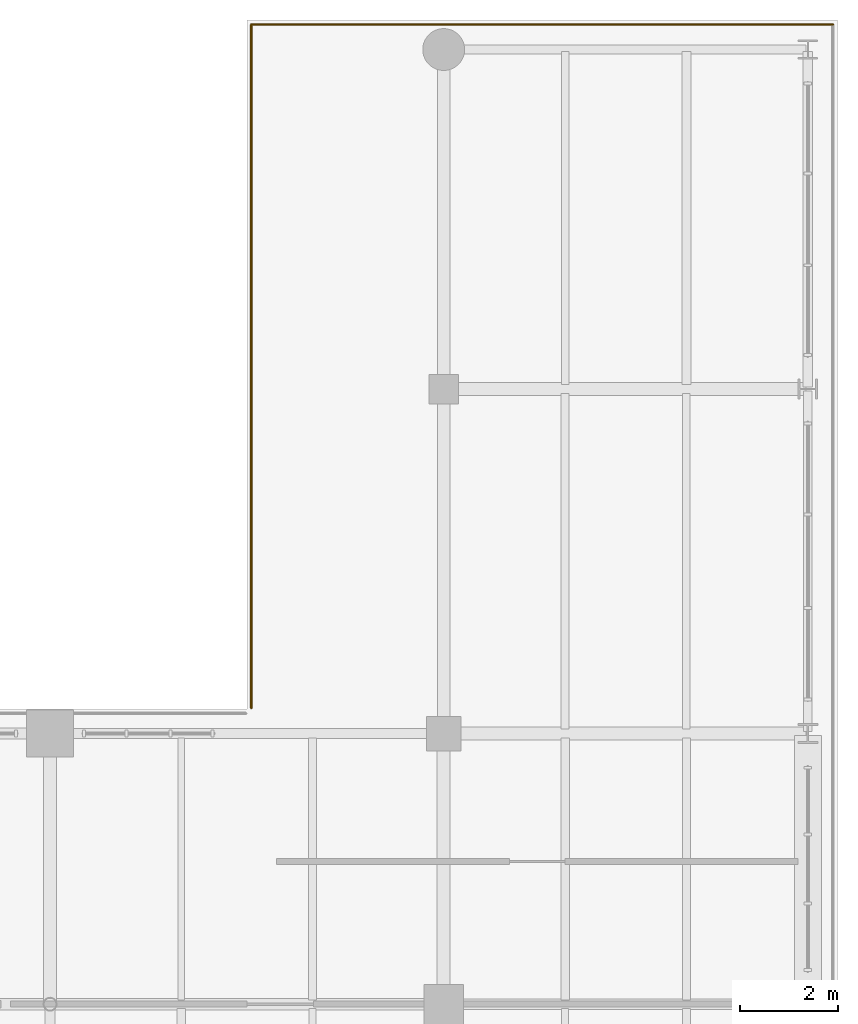
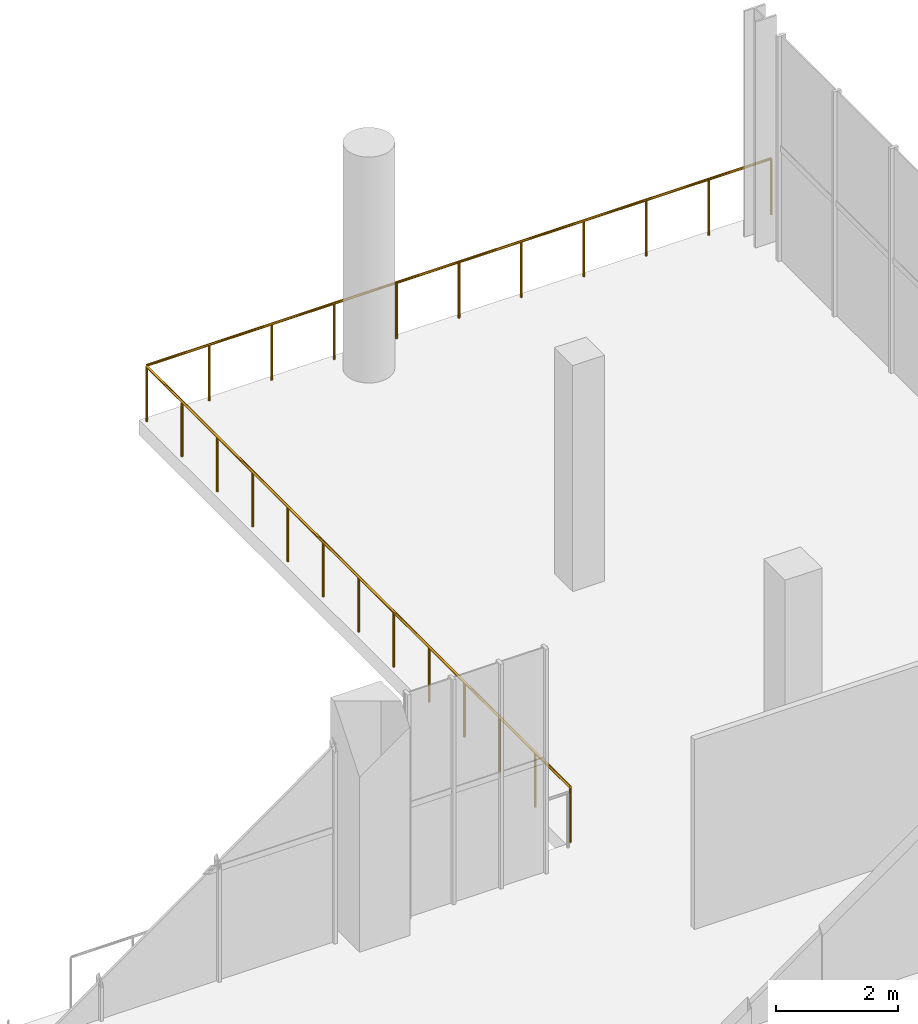
# One storey, part 93 of 93: 2 railings.
"""IFC4 building model written with IfcOpenShell, lengths in metres."""

from ifc_helpers import new_model, si_unit, direction, frame, origin, origin_2d, place, context, subcontext, project, spatial, circle, extrude, material, type_object, element, save


model = new_model("IFC4")

# Units and contexts
model_context = context("Model", 3, precision=1e-05, world=origin(), true_north=direction((0.0, 1.0)))
body_context = subcontext(model_context, "Body", "Model", "MODEL_VIEW")
ifc_project = project(units=[si_unit("LENGTHUNIT", "METRE"), si_unit("AREAUNIT", "SQUARE_METRE"), si_unit("VOLUMEUNIT", "CUBIC_METRE"), si_unit("PLANEANGLEUNIT", "RADIAN"), si_unit("MASSUNIT", "GRAM", prefix="KILO")], contexts=[model_context])

# Site, building, storey
site_placement = place(None, origin())
site = spatial("IfcSite", under=ifc_project, at=site_placement, CompositionType="ELEMENT")
building_placement = place(site_placement, origin())
building = spatial("IfcBuilding", under=site, at=building_placement, Name="Brisemont Oceanarium", CompositionType="ELEMENT")
storey_placement = place(building_placement, frame((0.0, 0.0, 5.39990234375)))
storey = spatial("IfcBuildingStorey", under=building, at=storey_placement, Name="L01", CompositionType="ELEMENT", Elevation=5.39990234375)

# Railings
ifc_material_1 = material(Name="Beaux-Arts Limestone Balustrade Precast Concrete C40/50", Category="masonry")
railing_type_1 = type_object("IfcRailingType", Name="RLG-BAL-1140", PredefinedType="BALUSTRADE", material=ifc_material_1)
railing_1_placement = place(storey_placement, frame((148.090087890625, 107.909423828125, 0.0)))
element("IfcRailing", 1, at=railing_1_placement, inside=storey, type_object=railing_type_1, Name="L01 slab perimeter safety guard 16", PredefinedType="BALUSTRADE", context=body_context, shape_type="SweptSolid", body=[
    extrude(circle(Radius=0.02392578125, at=origin_2d()), frame((0.0, 0.0, 1.11572265625), z_axis=(0.999999999147, 4.1312071e-05, 0.0), x_axis=(-4.1312071e-05, 0.999999999147, 0.0)), (0.0, 0.0, 1.0), 11.8193359375),
    extrude(circle(Radius=0.02099609375, at=origin_2d()), origin(), (0.0, 0.0, 1.0), 1.091796875),
    extrude(circle(Radius=0.02099609375, at=origin_2d()), frame((1.181884765625, 0.0, 0.0)), (0.0, 0.0, 1.0), 1.091796875),
    extrude(circle(Radius=0.02099609375, at=origin_2d()), frame((2.36376953125, 0.0, 0.0)), (0.0, 0.0, 1.0), 1.091796875),
    extrude(circle(Radius=0.02099609375, at=origin_2d()), frame((3.5458984375, 0.000244140625, 0.0)), (0.0, 0.0, 1.0), 1.091796875),
    extrude(circle(Radius=0.02099609375, at=origin_2d()), frame((4.727783203125, 0.000244140625, 0.0)), (0.0, 0.0, 1.0), 1.091796875),
    extrude(circle(Radius=0.02099609375, at=origin_2d()), frame((5.90966796875, 0.000244140625, 0.0)), (0.0, 0.0, 1.0), 1.091796875),
    extrude(circle(Radius=0.02099609375, at=origin_2d()), frame((7.091552734375, 0.000244140625, 0.0)), (0.0, 0.0, 1.0), 1.091796875),
    extrude(circle(Radius=0.02099609375, at=origin_2d()), frame((8.2734375, 0.000244140625, 0.0)), (0.0, 0.0, 1.0), 1.091796875),
    extrude(circle(Radius=0.02099609375, at=origin_2d()), frame((9.45556640625, 0.00048828125, 0.0)), (0.0, 0.0, 1.0), 1.091796875),
    extrude(circle(Radius=0.02099609375, at=origin_2d()), frame((10.637451171875, 0.00048828125, 0.0)), (0.0, 0.0, 1.0), 1.091796875),
    extrude(circle(Radius=0.02099609375, at=origin_2d()), frame((11.8193359375, 0.00048828125, 0.0)), (0.0, 0.0, 1.0), 1.091796875),
])
ifc_material_2 = material(Name="Duplex Stainless Steel EN 1.4462", Category="steel")
railing_type_2 = type_object("IfcRailingType", Name="RLG-GUARD-1120", PredefinedType="GUARDRAIL", material=ifc_material_2)
railing_2_placement = place(storey_placement, frame((148.090087890625, 94.02001953125, 0.0)))
element("IfcRailing", 2, at=railing_2_placement, inside=storey, type_object=railing_type_2, Name="L01 slab perimeter safety guard 15", PredefinedType="GUARDRAIL", context=body_context, shape_type="SweptSolid", body=[
    extrude(circle(Radius=0.02392578125, at=origin_2d()), frame((0.0, 0.0, 1.09619140625), z_axis=(0.0, 1.0, 0.0), x_axis=(-1.0, 0.0, 0.0)), (0.0, 0.0, 1.0), 13.889404296875),
    extrude(circle(Radius=0.02099609375, at=origin_2d()), origin(), (0.0, 0.0, 1.0), 1.072021484375),
    extrude(circle(Radius=0.02099609375, at=origin_2d()), frame((0.0, 1.157470703125, 0.0)), (0.0, 0.0, 1.0), 1.072021484375),
    extrude(circle(Radius=0.02099609375, at=origin_2d()), frame((0.0, 2.31494140625, 0.0)), (0.0, 0.0, 1.0), 1.072021484375),
    extrude(circle(Radius=0.02099609375, at=origin_2d()), frame((0.0, 3.472412109375, 0.0)), (0.0, 0.0, 1.0), 1.072021484375),
    extrude(circle(Radius=0.02099609375, at=origin_2d()), frame((0.0, 4.6298828125, 0.0)), (0.0, 0.0, 1.0), 1.072021484375),
    extrude(circle(Radius=0.02099609375, at=origin_2d()), frame((0.0, 5.787353515625, 0.0)), (0.0, 0.0, 1.0), 1.072021484375),
    extrude(circle(Radius=0.02099609375, at=origin_2d()), frame((0.0, 6.94482421875, 0.0)), (0.0, 0.0, 1.0), 1.072021484375),
    extrude(circle(Radius=0.02099609375, at=origin_2d()), frame((0.0, 8.10205078125, 0.0)), (0.0, 0.0, 1.0), 1.072021484375),
    extrude(circle(Radius=0.02099609375, at=origin_2d()), frame((0.0, 9.259521484375, 0.0)), (0.0, 0.0, 1.0), 1.072021484375),
    extrude(circle(Radius=0.02099609375, at=origin_2d()), frame((0.0, 10.4169921875, 0.0)), (0.0, 0.0, 1.0), 1.072021484375),
    extrude(circle(Radius=0.02099609375, at=origin_2d()), frame((0.0, 11.574462890625, 0.0)), (0.0, 0.0, 1.0), 1.072021484375),
    extrude(circle(Radius=0.02099609375, at=origin_2d()), frame((0.0, 12.73193359375, 0.0)), (0.0, 0.0, 1.0), 1.072021484375),
    extrude(circle(Radius=0.02099609375, at=origin_2d()), frame((0.0, 13.889404296875, 0.0)), (0.0, 0.0, 1.0), 1.072021484375),
])

save(model, "model.ifc")
